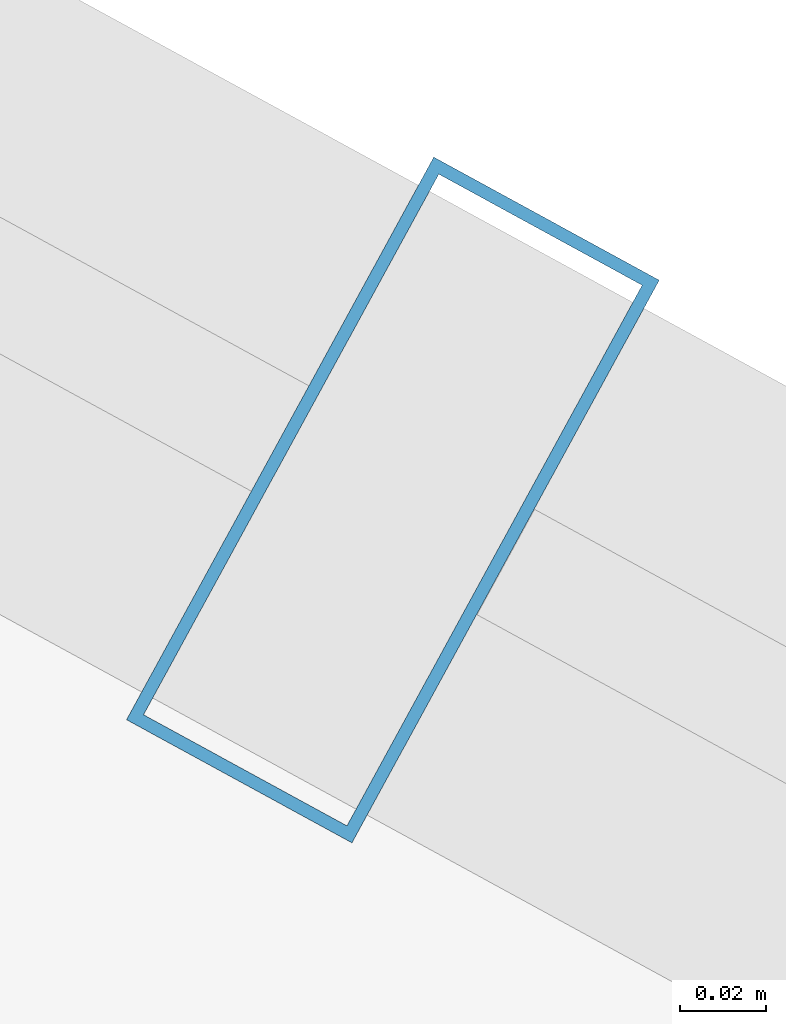
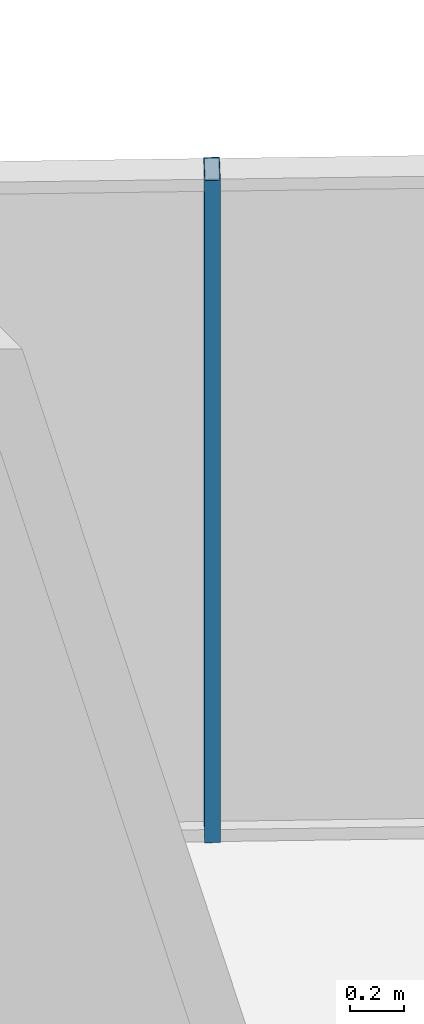
# One storey, part 24 of 32: 1 member, 1 element without a shape of its own.
"""IFC4 building model written with IfcOpenShell, lengths in metres."""

from ifc_helpers import new_model, si_unit, direction, frame, origin, origin_2d, place, context, subcontext, project, spatial, hollow_rectangle, extrude, source, transform, mapped, material, layer, layer_set, material_profile, profile_set, type_object, element, aggregate, save


model = new_model("IFC4")

# Units and contexts
model_context = context("Model", 3, precision=1e-05, world=origin(), true_north=direction((0.0, 1.0)))
body_context = subcontext(model_context, "Body", "Model", "MODEL_VIEW")
ifc_project = project(units=[si_unit("LENGTHUNIT", "METRE"), si_unit("AREAUNIT", "SQUARE_METRE"), si_unit("VOLUMEUNIT", "CUBIC_METRE"), si_unit("PLANEANGLEUNIT", "RADIAN"), si_unit("MASSUNIT", "GRAM", prefix="KILO")], contexts=[model_context])

# Site, building, storey
site_placement = place(None, origin())
site = spatial("IfcSite", under=ifc_project, at=site_placement, CompositionType="ELEMENT")
building_placement = place(site_placement, origin())
building = spatial("IfcBuilding", under=site, at=building_placement, Name="Veraguas Prism Commons", CompositionType="ELEMENT")
storey_placement = place(building_placement, frame((0.0, 0.0, 201.60009765625)))
storey = spatial("IfcBuildingStorey", under=building, at=storey_placement, Name="L57", CompositionType="ELEMENT", Elevation=201.60009765625)

# Curtain wall, member
ifc_material = material(Name="Anodised aluminium EN AW-6063 T6", Category="aluminium")
ifc_layer = layer(ifc_material, 0.14990234375, Name="Unitised Flush Curtain Wall Zone 3", Category="aluminium")
ifc_layer_set = layer_set([ifc_layer], Name="Anodised aluminium EN AW-6063 T6")
curtain_wall_type = type_object("IfcCurtainWallType", Name="Unitised Flush Curtain Wall Zone 3", PredefinedType="NOTDEFINED", material=ifc_layer_set)
curtain_wall_placement = place(storey_placement, origin())
curtain_wall = element("IfcCurtainWall", 1, at=curtain_wall_placement, inside=storey, type_object=curtain_wall_type, Name="Tower Facade Curtain Wall L57-F1", PredefinedType="NOTDEFINED")
ifc_material_profile = material_profile(ifc_material, hollow_rectangle(XDim=0.06005859375, YDim=0.14990234375, WallThickness=0.0029296875, at=origin_2d()), Name="AL60X150X3")
ifc_profile_set = profile_set([ifc_material_profile], Name="Anodised aluminium EN AW-6063 T6")
member_type = type_object("IfcMemberType", Name="Curtain Wall Mullion Upper AL 60x150x3", PredefinedType="MULLION", material=ifc_profile_set)
shared_shape = source(origin(), body_context, "Body", "SweptSolid", [
    extrude(hollow_rectangle(XDim=0.06005859375, YDim=0.14990234375, WallThickness=0.0029296875, at=origin_2d()), origin(), (0.0, 0.0, 1.0), 3.014892578125),
])
member_placement = place(storey_placement, frame((32.488525390625, 39.54345703125, 0.0), z_axis=(0.0, 0.0, 1.0), x_axis=(-0.877646898441, 0.479307752553, 0.0)))
member = element("IfcMember", 2, at=member_placement, type_object=member_type, Name="CW-Z3 Mullion 3", PredefinedType="MULLION", context=body_context, shape_type="MappedRepresentation", body=[
    mapped(shared_shape, transform((0.0, 0.0, 0.0), scale=1.0)),
])
aggregate(curtain_wall, [member])

save(model, "model.ifc")
